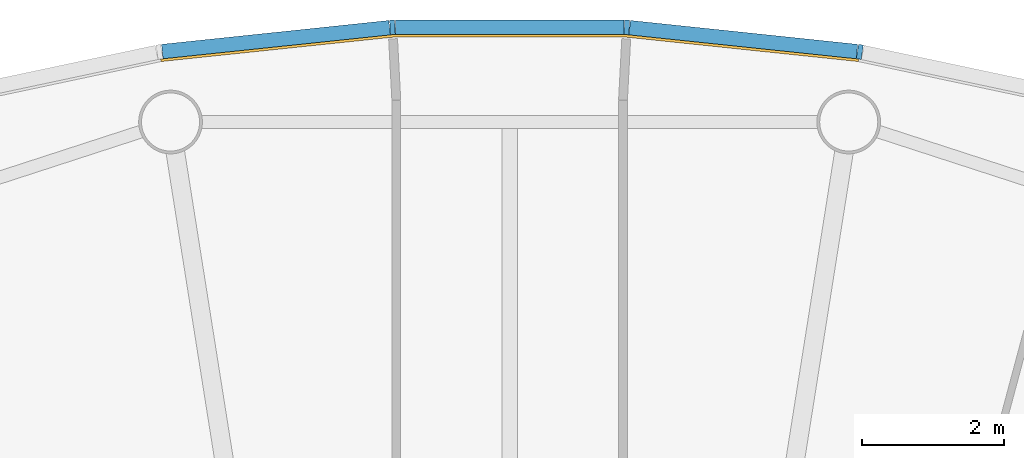
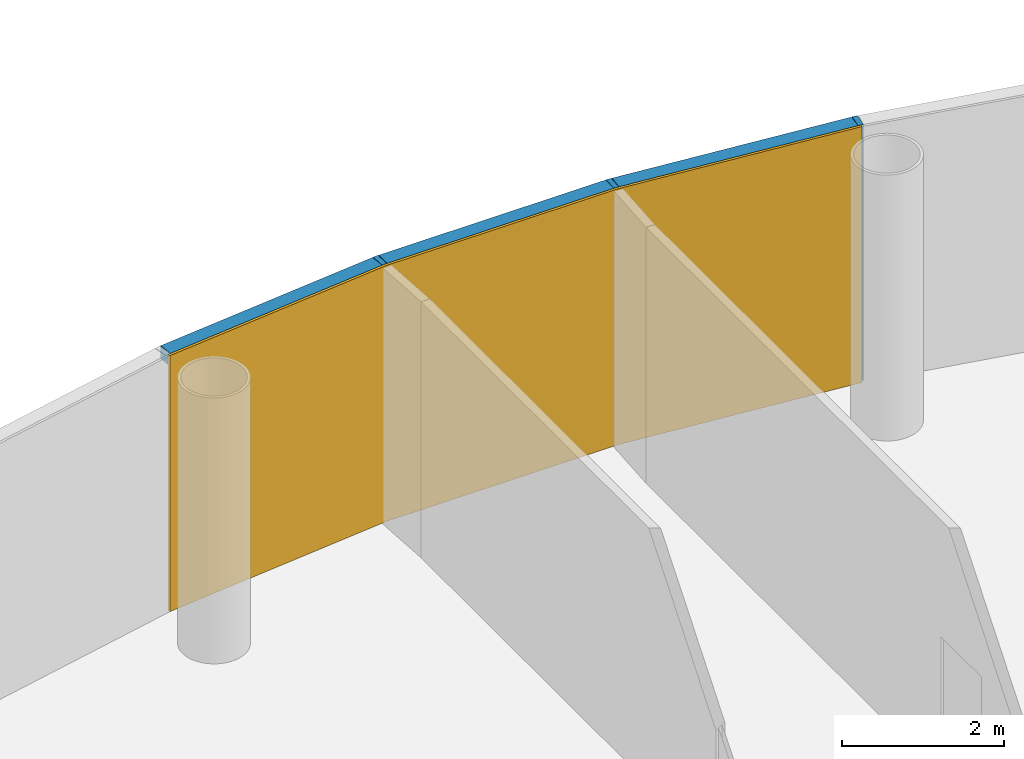
# One storey, part 11 of 13: 6 members, 1 curtain wall.
"""IFC4 building model written with IfcOpenShell, lengths in metres."""

from ifc_helpers import new_model, si_unit, direction, frame, origin, origin_2d, place, context, subcontext, project, spatial, polyline, rectangle, outline, extrude, material, layer, layer_set, material_profile, profile_set, type_object, element, aggregate, save


model = new_model("IFC4")

# Units and contexts
model_context = context("Model", 3, precision=1e-05, world=origin(), true_north=direction((0.0, 1.0)))
body_context = subcontext(model_context, "Body", "Model", "MODEL_VIEW")
ifc_project = project(units=[si_unit("LENGTHUNIT", "METRE"), si_unit("AREAUNIT", "SQUARE_METRE"), si_unit("VOLUMEUNIT", "CUBIC_METRE"), si_unit("PLANEANGLEUNIT", "RADIAN"), si_unit("MASSUNIT", "GRAM", prefix="KILO")], contexts=[model_context])

# Member
ifc_material_1 = material(Name="Anodised aluminium", Category="aluminium")
ifc_material_profile_1 = material_profile(ifc_material_1, rectangle(XDim=0.070068359375, YDim=0.205078125, at=origin_2d()), Name="Mullion 70 x 205 mm anodised aluminium")
ifc_profile_set_1 = profile_set([ifc_material_profile_1], Name="Anodised aluminium")
member_type_1 = type_object("IfcMemberType", Name="Mullion 70 x 205 mm anodised aluminium", PredefinedType="MULLION", material=ifc_profile_set_1)
site_placement = place(None, origin())
building_placement = place(site_placement, origin())
storey_placement = place(building_placement, frame((0.0, 0.0, 384.0)))
member_1_placement = place(storey_placement, frame((94.943603515625, 111.21337890625, 0.0), z_axis=(0.0, 0.0, 1.0), x_axis=(-0.987688340595, 0.15643446504, 0.0)))
member_1 = element("IfcMember", 1, at=member_1_placement, type_object=member_type_1, Name="MULLION L89-12", PredefinedType="MULLION", context=body_context, shape_type="SweptSolid", body=[
    extrude(rectangle(XDim=0.070068359375, YDim=0.205078125, at=origin_2d()), origin(), (0.0, 0.0, 1.0), 3.85009765625),
])

member_2_placement = place(storey_placement, frame((91.654052734375, 111.55908203125, 0.0), z_axis=(0.0, 0.0, 1.0), x_axis=(-0.998629534755, 0.052335956243, 0.0)))
member_2 = element("IfcMember", 2, at=member_2_placement, type_object=member_type_1, Name="MULLION L89-13", PredefinedType="MULLION", context=body_context, shape_type="SweptSolid", body=[
    extrude(rectangle(XDim=0.070068359375, YDim=0.205078125, at=origin_2d()), origin(), (0.0, 0.0, 1.0), 3.85009765625),
])

member_3_placement = place(storey_placement, frame((88.345947265625, 111.55908203125, 0.0), z_axis=(0.0, 0.0, 1.0), x_axis=(-0.998629534755, -0.052335956243, 0.0)))
member_3 = element("IfcMember", 3, at=member_3_placement, type_object=member_type_1, Name="MULLION L89-14", PredefinedType="MULLION", context=body_context, shape_type="SweptSolid", body=[
    extrude(rectangle(XDim=0.070068359375, YDim=0.205078125, at=origin_2d()), origin(), (0.0, 0.0, 1.0), 3.85009765625),
])

ifc_material_2 = material(Name="Anodised aluminium", Category="aluminium")
ifc_material_profile_2 = material_profile(ifc_material_2, rectangle(XDim=0.205078125, YDim=0.195068359375, at=origin_2d()), Name="Transom 195 x 205 mm anodised aluminium")
ifc_profile_set_2 = profile_set([ifc_material_profile_2], Name="Anodised aluminium")
member_type_2 = type_object("IfcMemberType", Name="Transom 195 x 205 mm anodised aluminium", PredefinedType="USERDEFINED", material=ifc_profile_set_2)
member_4_placement = place(storey_placement, frame((94.903564453125, 111.2177734375, 3.75244140625), z_axis=(-0.994519537956, 0.104550890115, 0.0), x_axis=(-0.104550890115, -0.994519537956, 0.0)))
member_4 = element("IfcMember", 4, at=member_4_placement, type_object=member_type_2, Name="TRANSOM L89-12", ObjectType="TRANSOM", PredefinedType="USERDEFINED", context=body_context, shape_type="SweptSolid", body=[
    extrude(rectangle(XDim=0.205078125, YDim=0.195068359375, at=origin_2d()), origin(), (0.0, 0.0, 1.0), 3.22705078125),
])

member_5_placement = place(storey_placement, frame((91.613525390625, 111.559326171875, 3.75244140625), z_axis=(-1.0, 0.0, 0.0), x_axis=(0.0, -1.0, 0.0)))
member_5 = element("IfcMember", 5, at=member_5_placement, type_object=member_type_2, Name="TRANSOM L89-13", ObjectType="TRANSOM", PredefinedType="USERDEFINED", context=body_context, shape_type="SweptSolid", body=[
    extrude(rectangle(XDim=0.205078125, YDim=0.195068359375, at=origin_2d()), origin(), (0.0, 0.0, 1.0), 3.22705078125),
])

member_6_placement = place(storey_placement, frame((88.305908203125, 111.55517578125, 3.75244140625), z_axis=(-0.994519537956, -0.104550890115, 0.0), x_axis=(0.104550890115, -0.994519537956, 0.0)))
member_6 = element("IfcMember", 6, at=member_6_placement, type_object=member_type_2, Name="TRANSOM L89-14", ObjectType="TRANSOM", PredefinedType="USERDEFINED", context=body_context, shape_type="SweptSolid", body=[
    extrude(rectangle(XDim=0.205078125, YDim=0.195068359375, at=origin_2d()), origin(), (0.0, 0.0, 1.0), 3.22705078125),
])

# Site, building, storey
site = spatial("IfcSite", under=ifc_project, at=site_placement, CompositionType="ELEMENT")
building = spatial("IfcBuilding", under=site, at=building_placement, Name="Entoto Ring Tower", CompositionType="ELEMENT")
storey = spatial("IfcBuildingStorey", under=building, at=storey_placement, Name="L89", CompositionType="ELEMENT", Elevation=384.0)

# Curtain wall
ifc_material_3 = material(Name="Clear low-iron glass", Category="glass")
ifc_layer = layer(ifc_material_3, 0.035888671875)
ifc_layer_set = layer_set([ifc_layer], Name="Clear low-iron glass")
curtain_wall_type = type_object("IfcCurtainWallType", Name="Curtain wall system CW6 glazing 36 mm", PredefinedType="NOTDEFINED", material=ifc_layer_set)
curtain_wall_placement = place(storey_placement, origin())
curtain_wall = element("IfcCurtainWall", 7, at=curtain_wall_placement, inside=storey, type_object=curtain_wall_type, Name="CW6 L89-05", PredefinedType="NOTDEFINED", context=body_context, shape_type="SweptSolid", body=[
    extrude(outline(polyline([(94.927734375, 111.1123046875), (91.648681640625, 111.456787109375), (88.351318359375, 111.456787109375), (85.072265625, 111.1123046875), (85.077880859375, 111.07666015625), (88.353271484375, 111.4208984375), (91.646728515625, 111.4208984375), (94.922119140625, 111.07666015625), (94.927734375, 111.1123046875)])), origin(), (0.0, 0.0, 1.0), 3.85009765625),
])

aggregate(curtain_wall, [member_1, member_2, member_3, member_4, member_5, member_6])

save(model, "model.ifc")
